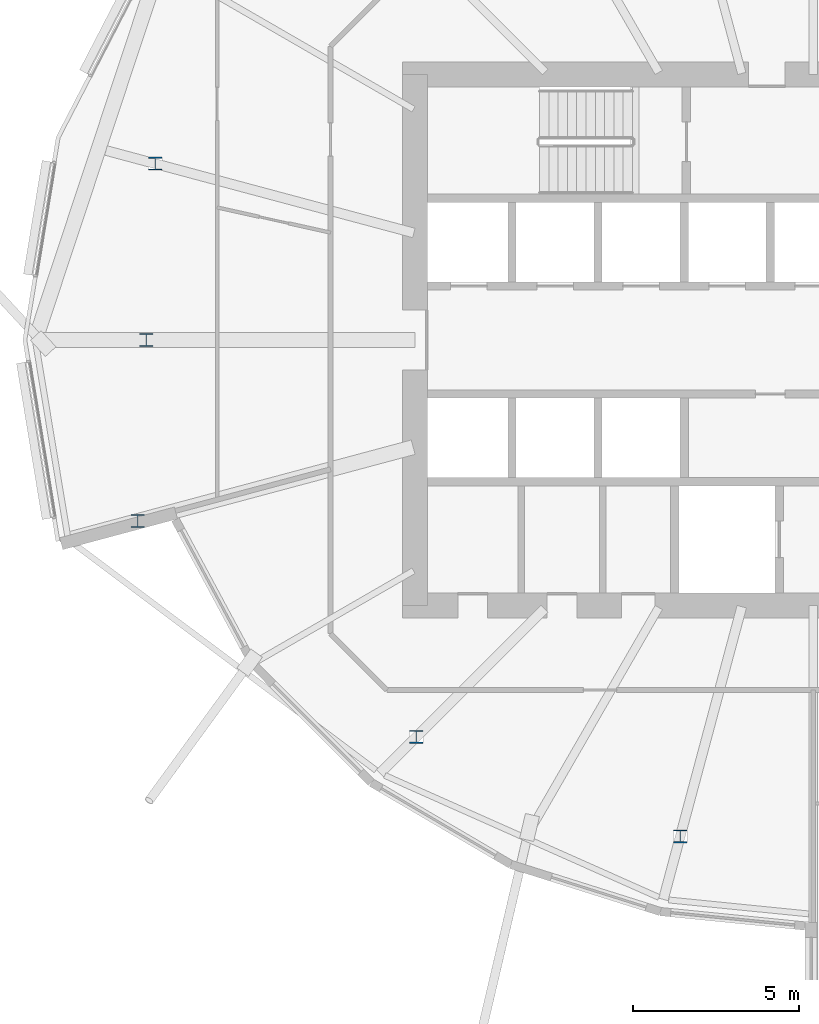
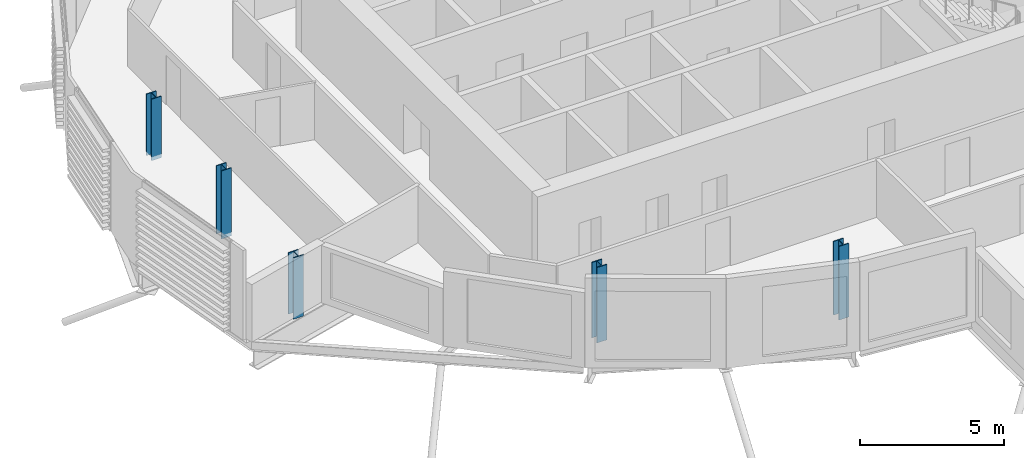
# One storey, part 1 of 42: 5 columns.
"""IFC4 building model written with IfcOpenShell, lengths in metres."""

from ifc_helpers import new_model, si_unit, direction, frame, origin, origin_2d, place, context, subcontext, project, spatial, i_section, extrude, material, material_profile, profile_set, type_object, element, save


model = new_model("IFC4")

# Units and contexts
model_context = context("Model", 3, precision=1e-05, world=origin(), true_north=direction((0.0, 1.0)))
body_context = subcontext(model_context, "Body", "Model", "MODEL_VIEW")
ifc_project = project(units=[si_unit("LENGTHUNIT", "METRE"), si_unit("AREAUNIT", "SQUARE_METRE"), si_unit("VOLUMEUNIT", "CUBIC_METRE"), si_unit("PLANEANGLEUNIT", "RADIAN"), si_unit("MASSUNIT", "GRAM", prefix="KILO")], contexts=[model_context])

# Site, building, storey
site_placement = place(None, origin())
site = spatial("IfcSite", under=ifc_project, at=site_placement, CompositionType="ELEMENT")
building_placement = place(site_placement, origin())
building = spatial("IfcBuilding", under=site, at=building_placement, Name="Rimbun Link Towers", CompositionType="ELEMENT")
storey_placement = place(building_placement, frame((0.0, 0.0, 85.39990234375)))
storey = spatial("IfcBuildingStorey", under=building, at=storey_placement, Name="L20", CompositionType="ELEMENT", Elevation=85.39990234375)

# Columns
ifc_material = material(Name="Steel S355J2", Category="steel")
ifc_material_profile = material_profile(ifc_material, i_section(OverallWidth=0.39892578125, OverallDepth=0.3935546875, WebThickness=0.022705078125, FlangeThickness=0.03662109375, at=origin_2d()), Name="UC 356x406x287")
ifc_profile_set = profile_set([ifc_material_profile], Name="Steel S355J2")
column_type = type_object("IfcColumnType", Name="UC 356x406x287", PredefinedType="COLUMN", material=ifc_profile_set)
column_1_placement = place(storey_placement, frame((-51.58642578125, 5.315185546875, -0.159912109375), z_axis=(0.0, 0.0, 1.0), x_axis=(1.0, 0.0, 0.0)))
element("IfcColumn", 1, at=column_1_placement, inside=storey, type_object=column_type, Name="Crease post T1 L20 11", PredefinedType="COLUMN", context=body_context, shape_type="SweptSolid", body=[
    extrude(i_section(OverallWidth=0.39892578125, OverallDepth=0.3935546875, WebThickness=0.022705078125, FlangeThickness=0.03662109375, at=origin_2d()), origin(), (0.0, 0.0, 1.0), 2.60009765625),
])
column_2_placement = place(storey_placement, frame((-51.857421875, 0.0, -0.159912109375), z_axis=(0.0, 0.0, 1.0), x_axis=(1.0, 0.0, 0.0)))
element("IfcColumn", 2, at=column_2_placement, inside=storey, type_object=column_type, Name="Crease post T1 L20 12", PredefinedType="COLUMN", context=body_context, shape_type="SweptSolid", body=[
    extrude(i_section(OverallWidth=0.39892578125, OverallDepth=0.3935546875, WebThickness=0.022705078125, FlangeThickness=0.03662109375, at=origin_2d()), origin(), (0.0, 0.0, 1.0), 2.881591796875),
])
column_3_placement = place(storey_placement, frame((-52.112060546875, -5.4560546875, -0.159912109375), z_axis=(0.0, 0.0, 1.0), x_axis=(1.0, 0.0, 0.0)))
element("IfcColumn", 3, at=column_3_placement, inside=storey, type_object=column_type, Name="Crease post T1 L20 13", PredefinedType="COLUMN", context=body_context, shape_type="SweptSolid", body=[
    extrude(i_section(OverallWidth=0.39892578125, OverallDepth=0.3935546875, WebThickness=0.022705078125, FlangeThickness=0.03662109375, at=origin_2d()), origin(), (0.0, 0.0, 1.0), 2.60009765625),
])
column_4_placement = place(storey_placement, frame((-43.71533203125, -11.96533203125, -0.159912109375), z_axis=(0.0, 0.0, 1.0), x_axis=(1.0, 0.0, 0.0)))
element("IfcColumn", 4, at=column_4_placement, inside=storey, type_object=column_type, Name="Crease post T1 L20 15", PredefinedType="COLUMN", context=body_context, shape_type="SweptSolid", body=[
    extrude(i_section(OverallWidth=0.39892578125, OverallDepth=0.3935546875, WebThickness=0.022705078125, FlangeThickness=0.03662109375, at=origin_2d()), origin(), (0.0, 0.0, 1.0), 3.197509765625),
])
column_5_placement = place(storey_placement, frame((-35.759033203125, -14.9619140625, -0.159912109375), z_axis=(0.0, 0.0, 1.0), x_axis=(1.0, 0.0, 0.0)))
element("IfcColumn", 5, at=column_5_placement, inside=storey, type_object=column_type, Name="Crease post T1 L20 17", PredefinedType="COLUMN", context=body_context, shape_type="SweptSolid", body=[
    extrude(i_section(OverallWidth=0.39892578125, OverallDepth=0.3935546875, WebThickness=0.022705078125, FlangeThickness=0.03662109375, at=origin_2d()), origin(), (0.0, 0.0, 1.0), 3.116455078125),
])

save(model, "model.ifc")
